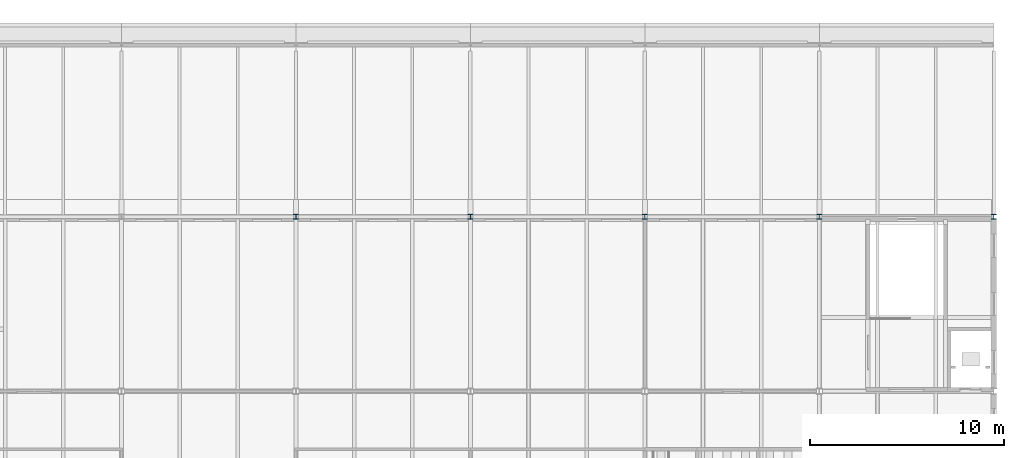
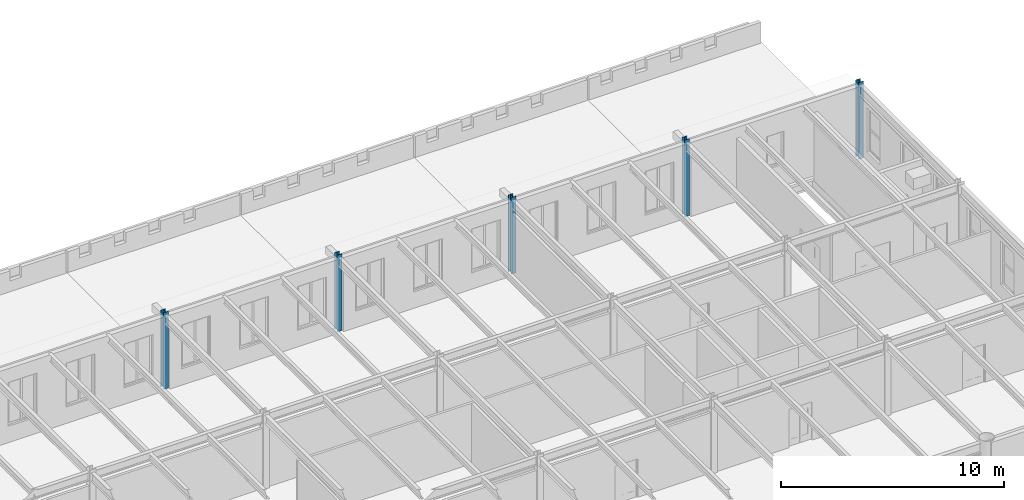
# One storey, part 20 of 123: 5 columns.
"""IFC4 building model written with IfcOpenShell, lengths in metres."""

from ifc_helpers import new_model, si_unit, direction, frame, origin, origin_2d, place, context, subcontext, project, spatial, i_section, extrude, material, material_profile, profile_set, type_object, element, save


model = new_model("IFC4")

# Units and contexts
model_context = context("Model", 3, precision=1e-05, world=origin(), true_north=direction((0.0, 1.0)))
body_context = subcontext(model_context, "Body", "Model", "MODEL_VIEW")
ifc_project = project(units=[si_unit("LENGTHUNIT", "METRE"), si_unit("AREAUNIT", "SQUARE_METRE"), si_unit("VOLUMEUNIT", "CUBIC_METRE"), si_unit("PLANEANGLEUNIT", "RADIAN"), si_unit("MASSUNIT", "GRAM", prefix="KILO")], contexts=[model_context])

# Site, building, storey
site_placement = place(None, origin())
site = spatial("IfcSite", under=ifc_project, at=site_placement, CompositionType="ELEMENT")
building_placement = place(site_placement, origin())
building = spatial("IfcBuilding", under=site, at=building_placement, Name="Baradari Gate Terminus", CompositionType="ELEMENT")
storey_placement = place(building_placement, frame((0.0, 0.0, 7.5)))
storey = spatial("IfcBuildingStorey", under=building, at=storey_placement, Name="L01", CompositionType="ELEMENT", Elevation=7.5)

# Columns
ifc_material = material(Name="Steel S355", Category="steel")
ifc_material_profile = material_profile(ifc_material, i_section(OverallWidth=0.25634765625, OverallDepth=0.26025390625, WebThickness=0.01025390625, FlangeThickness=0.017333984375, FilletRadius=0.0126953125, at=origin_2d()), Name="UC 254x254x89")
ifc_profile_set = profile_set([ifc_material_profile], Name="Steel S355")
column_type = type_object("IfcColumnType", Name="Head-house facade column C08 UC 254x254x89", PredefinedType="COLUMN", material=ifc_profile_set)
for number, where, z_axis, x_axis, name in (
    (1, (207.0, 108.0, 0.0), (0.0, 0.0, 1.0), (1.0, 0.0, 0.0), "C08 column 24-N L01"),
    (2, (216.0, 108.0, 0.0), (0.0, 0.0, 1.0), (1.0, 0.0, 0.0), "C08 column 25-N L01"),
    (3, (225.0, 108.0, 0.0), (0.0, 0.0, 1.0), (1.0, 0.0, 0.0), "C08 column 26-N L01"),
    (4, (234.0, 108.0, 0.0), (0.0, 0.0, 1.0), (1.0, 0.0, 0.0), "C08 column 27-N L01"),
    (5, (243.0, 108.0, 0.0), (0.0, 0.0, 1.0), (1.0, 0.0, 0.0), "C08 column 28-N L01"),
):
    element("IfcColumn", number, at=place(storey_placement, frame(where, z_axis=z_axis, x_axis=x_axis)), inside=storey, type_object=column_type, Name=name, PredefinedType="COLUMN", context=body_context, shape_type="SweptSolid", body=[
        extrude(i_section(OverallWidth=0.25634765625, OverallDepth=0.26025390625, WebThickness=0.01025390625, FlangeThickness=0.017333984375, FilletRadius=0.0126953125, at=origin_2d()), origin(), (0.0, 0.0, 1.0), 4.199951171875),
    ])

save(model, "model.ifc")
